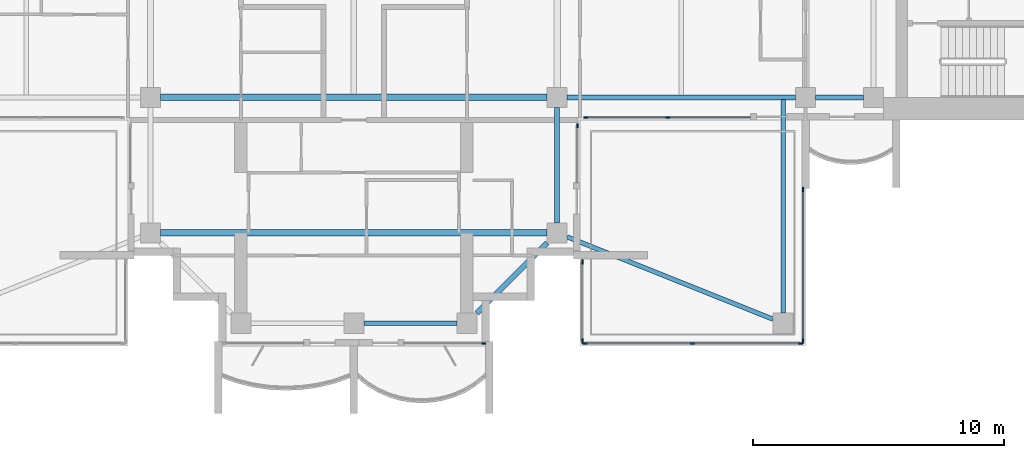
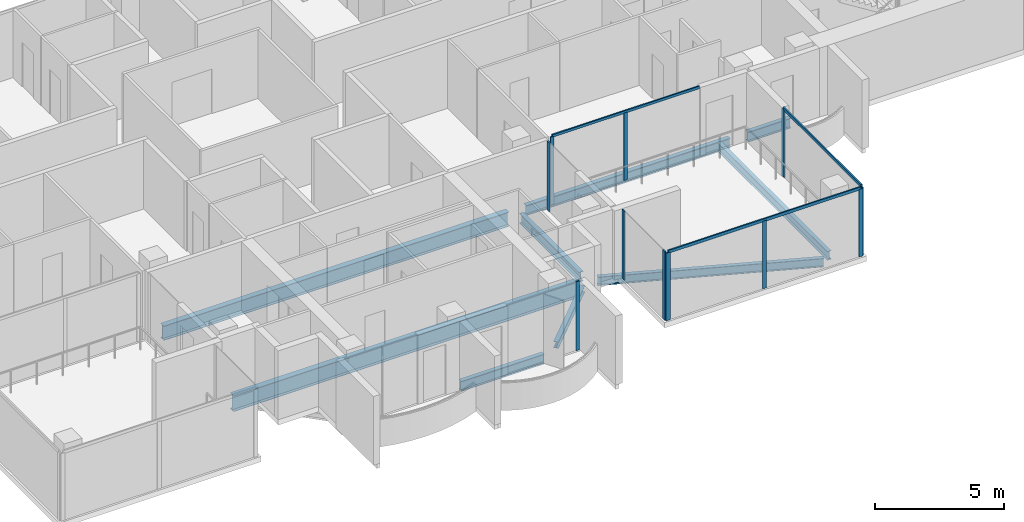
# One storey, part 3 of 16: 14 members, 9 beams, 6 elements without a shape of their own.
"""IFC4 building model written with IfcOpenShell, lengths in metres."""

from ifc_helpers import new_model, si_unit, direction, frame, origin, origin_2d, place, context, subcontext, project, spatial, rectangle, i_section, extrude, material, material_profile, profile_set, type_object, element, aggregate, save


model = new_model("IFC4")

# Units and contexts
model_context = context("Model", 3, precision=1e-05, world=origin(), true_north=direction((0.0, 1.0)))
body_context = subcontext(model_context, "Body", "Model", "MODEL_VIEW")
ifc_project = project(units=[si_unit("LENGTHUNIT", "METRE"), si_unit("AREAUNIT", "SQUARE_METRE"), si_unit("VOLUMEUNIT", "CUBIC_METRE"), si_unit("PLANEANGLEUNIT", "RADIAN"), si_unit("MASSUNIT", "GRAM", prefix="KILO")], contexts=[model_context])

# Site, building, storey
site_placement = place(None, origin())
site = spatial("IfcSite", under=ifc_project, at=site_placement, CompositionType="ELEMENT")
building_placement = place(site_placement, origin())
building = spatial("IfcBuilding", under=site, at=building_placement, Name="Perihelion Cross Residences", CompositionType="ELEMENT")
storey_placement = place(building_placement, frame((0.0, 0.0, 253.5)))
storey = spatial("IfcBuildingStorey", under=building, at=storey_placement, Name="L64", CompositionType="ELEMENT", Elevation=253.5)

# Curtain wall, member
ifc_material_1 = material(Name="Bronze anodised aluminium, tinted glazing", Category="aluminium")
curtain_wall_type_1 = type_object("IfcCurtainWallType", Name="CW1", PredefinedType="NOTDEFINED", material=ifc_material_1)
curtain_wall_1_placement = place(storey_placement, origin())
curtain_wall_1 = element("IfcCurtainWall", 1, at=curtain_wall_1_placement, inside=storey, type_object=curtain_wall_type_1, Name="Curtain wall CW1 L64 south tip south bay 2", PredefinedType="NOTDEFINED")
ifc_material_2 = material(Name="Bronze anodised aluminium", Category="aluminium")
ifc_material_profile_1 = material_profile(ifc_material_2, rectangle(XDim=0.06005859375, YDim=0.159912109375, at=origin_2d()), Name="CW1 mullion")
ifc_profile_set_1 = profile_set([ifc_material_profile_1], Name="Bronze anodised aluminium")
member_type_1 = type_object("IfcMemberType", Name="CW1 mullion", PredefinedType="MULLION", material=ifc_profile_set_1)
member_1_placement = place(storey_placement, frame((5.169921875, -17.89990234375, 0.0), z_axis=(0.0, 0.0, 1.0), x_axis=(0.0, 1.0, 0.0)))
member_1 = element("IfcMember", 2, at=member_1_placement, type_object=member_type_1, Name="CW1 mullion 2", PredefinedType="MULLION", context=body_context, shape_type="SweptSolid", body=[
    extrude(rectangle(XDim=0.06005859375, YDim=0.159912109375, at=origin_2d()), origin(), (0.0, 0.0, 1.0), 3.25),
])
aggregate(curtain_wall_1, [member_1])

curtain_wall_2_placement = place(storey_placement, origin())
curtain_wall_2 = element("IfcCurtainWall", 3, at=curtain_wall_2_placement, inside=storey, type_object=curtain_wall_type_1, Name="Curtain wall CW1 L64 south side east bay 1", PredefinedType="NOTDEFINED")
member_2_placement = place(storey_placement, frame((8.89990234375, -9.22998046875, 0.0), z_axis=(0.0, 0.0, 1.0), x_axis=(-1.0, 0.0, 0.0)))
member_2 = element("IfcMember", 4, at=member_2_placement, type_object=member_type_1, Name="CW1 mullion 2", PredefinedType="MULLION", context=body_context, shape_type="SweptSolid", body=[
    extrude(rectangle(XDim=0.06005859375, YDim=0.159912109375, at=origin_2d()), origin(), (0.0, 0.0, 1.0), 3.25),
])
aggregate(curtain_wall_2, [member_2])

# Curtain wall, members
curtain_wall_3_placement = place(storey_placement, origin())
curtain_wall_3 = element("IfcCurtainWall", 5, at=curtain_wall_3_placement, inside=storey, type_object=curtain_wall_type_1, Name="Curtain wall CW1 L64 east side south bay 1", PredefinedType="NOTDEFINED")
member_3_placement = place(storey_placement, frame((9.22998046875, -8.89990234375, 0.0), z_axis=(0.0, 0.0, 1.0), x_axis=(0.0, 1.0, 0.0)))
member_3 = element("IfcMember", 6, at=member_3_placement, type_object=member_type_1, Name="CW1 mullion 1", PredefinedType="MULLION", context=body_context, shape_type="SweptSolid", body=[
    extrude(rectangle(XDim=0.06005859375, YDim=0.159912109375, at=origin_2d()), origin(), (0.0, 0.0, 1.0), 3.18994140625),
])
member_4_placement = place(storey_placement, frame((12.5, -8.89990234375, 0.0), z_axis=(0.0, 0.0, 1.0), x_axis=(0.0, 1.0, 0.0)))
member_4 = element("IfcMember", 7, at=member_4_placement, type_object=member_type_1, Name="CW1 mullion 2", PredefinedType="MULLION", context=body_context, shape_type="SweptSolid", body=[
    extrude(rectangle(XDim=0.06005859375, YDim=0.159912109375, at=origin_2d()), origin(), (0.0, 0.0, 1.0), 3.18994140625),
])
ifc_material_3 = material(Name="Bronze anodised aluminium", Category="aluminium")
ifc_material_profile_2 = material_profile(ifc_material_3, rectangle(XDim=0.06005859375, YDim=0.1201171875, at=origin_2d()), Name="CW1 transom")
ifc_profile_set_2 = profile_set([ifc_material_profile_2], Name="Bronze anodised aluminium")
member_type_2 = type_object("IfcMemberType", Name="CW1 transom", PredefinedType="USERDEFINED", material=ifc_profile_set_2)
member_5_placement = place(storey_placement, frame((9.22998046875, -8.89990234375, 3.219970703125), z_axis=(1.0, 0.0, 0.0), x_axis=(0.0, 1.0, 0.0)))
member_5 = element("IfcMember", 8, at=member_5_placement, type_object=member_type_2, Name="CW1 head transom", ObjectType="TRANSOM", PredefinedType="USERDEFINED", context=body_context, shape_type="SweptSolid", body=[
    extrude(rectangle(XDim=0.06005859375, YDim=0.1201171875, at=origin_2d()), origin(), (0.0, 0.0, 1.0), 6.570068359375),
])
aggregate(curtain_wall_3, [member_3, member_4, member_5])

ifc_material_4 = material(Name="Bronze anodised aluminium, tinted glazing", Category="aluminium")
curtain_wall_type_2 = type_object("IfcCurtainWallType", Name="CW4", PredefinedType="NOTDEFINED", material=ifc_material_4)
curtain_wall_4_placement = place(storey_placement, origin())
curtain_wall_4 = element("IfcCurtainWall", 9, at=curtain_wall_4_placement, inside=storey, type_object=curtain_wall_type_2, Name="Curtain wall CW4 L64 pocket south-east 1 1", PredefinedType="NOTDEFINED")
ifc_material_5 = material(Name="Bronze anodised aluminium", Category="aluminium")
ifc_material_profile_3 = material_profile(ifc_material_5, rectangle(XDim=0.06005859375, YDim=0.179931640625, at=origin_2d()), Name="CW4 mullion")
ifc_profile_set_3 = profile_set([ifc_material_profile_3], Name="Bronze anodised aluminium")
member_type_3 = type_object("IfcMemberType", Name="CW4 mullion", PredefinedType="MULLION", material=ifc_profile_set_3)
member_6_placement = place(storey_placement, frame((17.89990234375, -11.77001953125, 0.0), z_axis=(0.0, 0.0, 1.0), x_axis=(1.0, 0.0, 0.0)))
member_6 = element("IfcMember", 10, at=member_6_placement, type_object=member_type_3, Name="CW4 mullion 1", PredefinedType="MULLION", context=body_context, shape_type="SweptSolid", body=[
    extrude(rectangle(XDim=0.06005859375, YDim=0.179931640625, at=origin_2d()), origin(), (0.0, 0.0, 1.0), 3.18994140625),
])
member_7_placement = place(storey_placement, frame((17.89990234375, -17.800048828125, 0.0), z_axis=(0.0, 0.0, 1.0), x_axis=(1.0, 0.0, 0.0)))
member_7 = element("IfcMember", 11, at=member_7_placement, type_object=member_type_3, Name="CW4 mullion 2", PredefinedType="MULLION", context=body_context, shape_type="SweptSolid", body=[
    extrude(rectangle(XDim=0.06005859375, YDim=0.179931640625, at=origin_2d()), origin(), (0.0, 0.0, 1.0), 3.18994140625),
])

curtain_wall_5_placement = place(storey_placement, origin())
curtain_wall_5 = element("IfcCurtainWall", 12, at=curtain_wall_5_placement, inside=storey, type_object=curtain_wall_type_2, Name="Curtain wall CW4 L64 pocket south-east 1 2", PredefinedType="NOTDEFINED")
member_8_placement = place(storey_placement, frame((17.800048828125, -17.89990234375, 0.0), z_axis=(0.0, 0.0, 1.0), x_axis=(0.0, -1.0, 0.0)))
member_8 = element("IfcMember", 13, at=member_8_placement, type_object=member_type_3, Name="CW4 mullion 1", PredefinedType="MULLION", context=body_context, shape_type="SweptSolid", body=[
    extrude(rectangle(XDim=0.06005859375, YDim=0.179931640625, at=origin_2d()), origin(), (0.0, 0.0, 1.0), 3.18994140625),
])
member_9_placement = place(storey_placement, frame((13.5, -17.89990234375, 0.0), z_axis=(0.0, 0.0, 1.0), x_axis=(0.0, -1.0, 0.0)))
member_9 = element("IfcMember", 14, at=member_9_placement, type_object=member_type_3, Name="CW4 mullion 2", PredefinedType="MULLION", context=body_context, shape_type="SweptSolid", body=[
    extrude(rectangle(XDim=0.06005859375, YDim=0.179931640625, at=origin_2d()), origin(), (0.0, 0.0, 1.0), 3.18994140625),
])
member_10_placement = place(storey_placement, frame((9.199951171875, -17.89990234375, 0.0), z_axis=(0.0, 0.0, 1.0), x_axis=(0.0, -1.0, 0.0)))
member_10 = element("IfcMember", 15, at=member_10_placement, type_object=member_type_3, Name="CW4 mullion 3", PredefinedType="MULLION", context=body_context, shape_type="SweptSolid", body=[
    extrude(rectangle(XDim=0.06005859375, YDim=0.179931640625, at=origin_2d()), origin(), (0.0, 0.0, 1.0), 3.18994140625),
])

curtain_wall_6_placement = place(storey_placement, origin())
curtain_wall_6 = element("IfcCurtainWall", 16, at=curtain_wall_6_placement, inside=storey, type_object=curtain_wall_type_2, Name="Curtain wall CW4 L64 pocket south-east 1 3", PredefinedType="NOTDEFINED")
member_11_placement = place(storey_placement, frame((9.10009765625, -17.800048828125, 0.0), z_axis=(0.0, 0.0, 1.0), x_axis=(-1.0, 0.0, 0.0)))
member_11 = element("IfcMember", 17, at=member_11_placement, type_object=member_type_3, Name="CW4 mullion 1", PredefinedType="MULLION", context=body_context, shape_type="SweptSolid", body=[
    extrude(rectangle(XDim=0.06005859375, YDim=0.179931640625, at=origin_2d()), origin(), (0.0, 0.0, 1.0), 3.25),
])
member_12_placement = place(storey_placement, frame((9.10009765625, -14.658935546875, 0.0), z_axis=(0.0, 0.0, 1.0), x_axis=(-1.0, 0.0, 0.0)))
member_12 = element("IfcMember", 18, at=member_12_placement, type_object=member_type_3, Name="CW4 mullion 2", PredefinedType="MULLION", context=body_context, shape_type="SweptSolid", body=[
    extrude(rectangle(XDim=0.06005859375, YDim=0.179931640625, at=origin_2d()), origin(), (0.0, 0.0, 1.0), 3.25),
])
aggregate(curtain_wall_6, [member_11, member_12])

# Member
ifc_material_6 = material(Name="Bronze anodised aluminium", Category="aluminium")
ifc_material_profile_4 = material_profile(ifc_material_6, rectangle(XDim=0.06005859375, YDim=0.139892578125, at=origin_2d()), Name="CW4 transom")
ifc_profile_set_4 = profile_set([ifc_material_profile_4], Name="Bronze anodised aluminium")
member_type_4 = type_object("IfcMemberType", Name="CW4 transom", PredefinedType="USERDEFINED", material=ifc_profile_set_4)
member_13_placement = place(storey_placement, frame((17.89990234375, -11.77001953125, 3.219970703125), z_axis=(0.0, -1.0, 0.0), x_axis=(1.0, 0.0, 0.0)))
member_13 = element("IfcMember", 19, at=member_13_placement, type_object=member_type_4, Name="CW4 head transom", ObjectType="TRANSOM", PredefinedType="USERDEFINED", context=body_context, shape_type="SweptSolid", body=[
    extrude(rectangle(XDim=0.06005859375, YDim=0.139892578125, at=origin_2d()), origin(), (0.0, 0.0, 1.0), 6.030029296875),
])

aggregate(curtain_wall_4, [member_6, member_7, member_13])

member_14_placement = place(storey_placement, frame((17.800048828125, -17.89990234375, 3.219970703125), z_axis=(-1.0, 0.0, 0.0), x_axis=(0.0, -1.0, 0.0)))
member_14 = element("IfcMember", 20, at=member_14_placement, type_object=member_type_4, Name="CW4 head transom", ObjectType="TRANSOM", PredefinedType="USERDEFINED", context=body_context, shape_type="SweptSolid", body=[
    extrude(rectangle(XDim=0.06005859375, YDim=0.139892578125, at=origin_2d()), origin(), (0.0, 0.0, 1.0), 8.60009765625),
])

aggregate(curtain_wall_5, [member_8, member_9, member_10, member_14])

# Beams
ifc_material_7 = material(Name="Steel S355", Category="steel")
ifc_material_profile_5 = material_profile(ifc_material_7, i_section(OverallWidth=0.177978515625, OverallDepth=0.406005859375, WebThickness=0.0078125, FlangeThickness=0.0126953125, at=origin_2d()), Name="W410x60")
ifc_profile_set_5 = profile_set([ifc_material_profile_5], Name="Steel S355")
beam_type_1 = type_object("IfcBeamType", Name="Core edge beam W410x60", PredefinedType="BEAM", material=ifc_profile_set_5)
beam_1_placement = place(storey_placement, frame((17.10009765625, -8.197021484375, -0.452880859375), z_axis=(0.0, -1.0, 0.0), x_axis=(1.0, 0.0, 0.0)))
element("IfcBeam", 21, at=beam_1_placement, inside=storey, type_object=beam_type_1, Name="Core edge beam TB2 L64 corner no. 3", PredefinedType="BEAM", context=body_context, shape_type="SweptSolid", body=[
    extrude(i_section(OverallWidth=0.177978515625, OverallDepth=0.406005859375, WebThickness=0.0078125, FlangeThickness=0.0126953125, at=origin_2d()), origin(), (0.0, 0.0, 1.0), 8.5029296875),
])
beam_2_placement = place(storey_placement, frame((8.5, -13.659912109375, -0.452880859375), z_axis=(0.928474784399, -0.371395442534, 0.0), x_axis=(0.371395442534, 0.928474784399, 0.0)))
element("IfcBeam", 22, at=beam_2_placement, inside=storey, type_object=beam_type_1, Name="Core edge beam TB2 L64 corner no. 4", PredefinedType="BEAM", context=body_context, shape_type="SweptSolid", body=[
    extrude(i_section(OverallWidth=0.177978515625, OverallDepth=0.406005859375, WebThickness=0.0078125, FlangeThickness=0.0126953125, at=origin_2d()), origin(), (0.0, 0.0, 1.0), 8.83154296875),
])
ifc_material_8 = material(Name="Steel S355", Category="steel")
ifc_material_profile_6 = material_profile(ifc_material_8, i_section(OverallWidth=0.194091796875, OverallDepth=0.469970703125, WebThickness=0.0126953125, FlangeThickness=0.0205078125, at=origin_2d()), Name="W460x106")
ifc_profile_set_6 = profile_set([ifc_material_profile_6], Name="Steel S355")
beam_type_2 = type_object("IfcBeamType", Name="Edge beam W460x106", PredefinedType="SPANDREL", material=ifc_profile_set_6)
beam_3_placement = place(storey_placement, frame((0.39990234375, -17.10009765625, -0.485107421875), z_axis=(1.0, 0.0, 0.0), x_axis=(0.0, 1.0, 0.0)))
element("IfcBeam", 23, at=beam_3_placement, inside=storey, type_object=beam_type_2, Name="Edge beam SB5 L64 no. 7", PredefinedType="SPANDREL", context=body_context, shape_type="SweptSolid", body=[
    extrude(i_section(OverallWidth=0.194091796875, OverallDepth=0.469970703125, WebThickness=0.0126953125, FlangeThickness=0.0205078125, at=origin_2d()), origin(), (0.0, 0.0, 1.0), 3.7001953125),
])
beam_4_placement = place(storey_placement, frame((8.10009765625, -13.10009765625, -0.485107421875), z_axis=(0.0, 1.0, 0.0), x_axis=(-1.0, 0.0, 0.0)))
element("IfcBeam", 24, at=beam_4_placement, inside=storey, type_object=beam_type_2, Name="Edge beam SB5 L64 no. 11", PredefinedType="SPANDREL", context=body_context, shape_type="SweptSolid", body=[
    extrude(i_section(OverallWidth=0.194091796875, OverallDepth=0.469970703125, WebThickness=0.0126953125, FlangeThickness=0.0205078125, at=origin_2d()), origin(), (0.0, 0.0, 1.0), 4.60009765625),
])
beam_5_placement = place(storey_placement, frame((8.5, -8.10009765625, -0.485107421875), z_axis=(1.0, 0.0, 0.0), x_axis=(0.0, 1.0, 0.0)))
element("IfcBeam", 25, at=beam_5_placement, inside=storey, type_object=beam_type_2, Name="Edge beam SB5 L64 no. 12", PredefinedType="SPANDREL", context=body_context, shape_type="SweptSolid", body=[
    extrude(i_section(OverallWidth=0.194091796875, OverallDepth=0.469970703125, WebThickness=0.0126953125, FlangeThickness=0.0205078125, at=origin_2d()), origin(), (0.0, 0.0, 1.0), 9.10009765625),
])
beam_6_placement = place(storey_placement, frame((18.39990234375, -8.10009765625, -0.485107421875), z_axis=(1.0, 0.0, 0.0), x_axis=(0.0, 1.0, 0.0)))
element("IfcBeam", 26, at=beam_6_placement, inside=storey, type_object=beam_type_2, Name="Edge beam SB5 L64 no. 8", PredefinedType="SPANDREL", context=body_context, shape_type="SweptSolid", body=[
    extrude(i_section(OverallWidth=0.194091796875, OverallDepth=0.469970703125, WebThickness=0.0126953125, FlangeThickness=0.0205078125, at=origin_2d()), origin(), (0.0, 0.0, 1.0), 1.900146484375),
])
ifc_material_9 = material(Name="Steel S355", Category="steel")
ifc_material_profile_7 = material_profile(ifc_material_9, i_section(OverallWidth=0.26708984375, OverallDepth=0.75390625, WebThickness=0.01318359375, FlangeThickness=0.01708984375, at=origin_2d()), Name="W760x147")
ifc_profile_set_7 = profile_set([ifc_material_profile_7], Name="Steel S355")
beam_type_3 = type_object("IfcBeamType", Name="Floor girder W760x147", PredefinedType="BEAM", material=ifc_profile_set_7)
beam_7_placement = place(storey_placement, frame((-7.699951171875, -13.5, -0.626953125), z_axis=(1.0, 0.0, 0.0), x_axis=(0.0, 1.0, 0.0)))
element("IfcBeam", 27, at=beam_7_placement, inside=storey, type_object=beam_type_3, Name="Girder G5 L64 no. 3", PredefinedType="BEAM", context=body_context, shape_type="SweptSolid", body=[
    extrude(i_section(OverallWidth=0.26708984375, OverallDepth=0.75390625, WebThickness=0.01318359375, FlangeThickness=0.01708984375, at=origin_2d()), origin(), (0.0, 0.0, 1.0), 15.39990234375),
])
ifc_material_10 = material(Name="Steel S355", Category="steel")
ifc_material_profile_8 = material_profile(ifc_material_10, i_section(OverallWidth=0.25390625, OverallDepth=0.677978515625, WebThickness=0.01171875, FlangeThickness=0.016357421875, at=origin_2d()), Name="W690x125")
ifc_profile_set_8 = profile_set([ifc_material_profile_8], Name="Steel S355")
beam_type_4 = type_object("IfcBeamType", Name="Hub ring girder W690x125", PredefinedType="BEAM", material=ifc_profile_set_8)
beam_8_placement = place(storey_placement, frame((-7.699951171875, -8.10009765625, -0.589111328125), z_axis=(1.0, 0.0, 0.0), x_axis=(0.0, 1.0, 0.0)))
element("IfcBeam", 28, at=beam_8_placement, inside=storey, type_object=beam_type_4, Name="Hub ring girder RG5 L64 no. 1", PredefinedType="BEAM", context=body_context, shape_type="SweptSolid", body=[
    extrude(i_section(OverallWidth=0.25390625, OverallDepth=0.677978515625, WebThickness=0.01171875, FlangeThickness=0.016357421875, at=origin_2d()), origin(), (0.0, 0.0, 1.0), 15.39990234375),
])
ifc_material_11 = material(Name="Steel S355", Category="steel")
ifc_material_profile_9 = material_profile(ifc_material_11, i_section(OverallWidth=0.202880859375, OverallDepth=0.302001953125, WebThickness=0.007568359375, FlangeThickness=0.01318359375, at=origin_2d()), Name="W310x60")
ifc_profile_set_9 = profile_set([ifc_material_profile_9], Name="Steel S355")
beam_type_5 = type_object("IfcBeamType", Name="Serration edge beam W310x60", PredefinedType="BEAM", material=ifc_profile_set_9)
beam_9_placement = place(storey_placement, frame((4.89990234375, -16.699951171875, -0.40087890625), z_axis=(0.707106781187, 0.707106781187, 0.0), x_axis=(-0.707106781187, 0.707106781187, 0.0)))
element("IfcBeam", 29, at=beam_9_placement, inside=storey, type_object=beam_type_5, Name="Serration edge beam EB5 L64 no. 2", PredefinedType="BEAM", context=body_context, shape_type="SweptSolid", body=[
    extrude(i_section(OverallWidth=0.202880859375, OverallDepth=0.302001953125, WebThickness=0.007568359375, FlangeThickness=0.01318359375, at=origin_2d()), origin(), (0.0, 0.0, 1.0), 3.9599609375),
])

save(model, "model.ifc")
